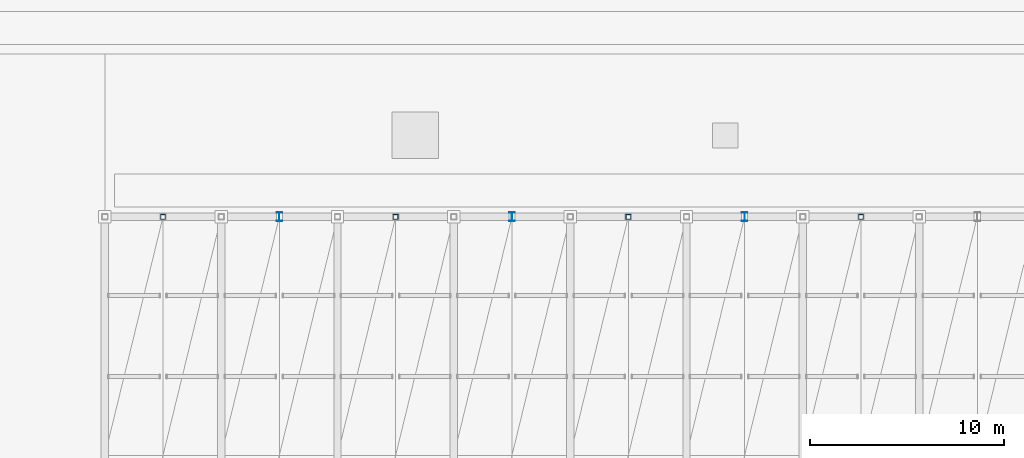
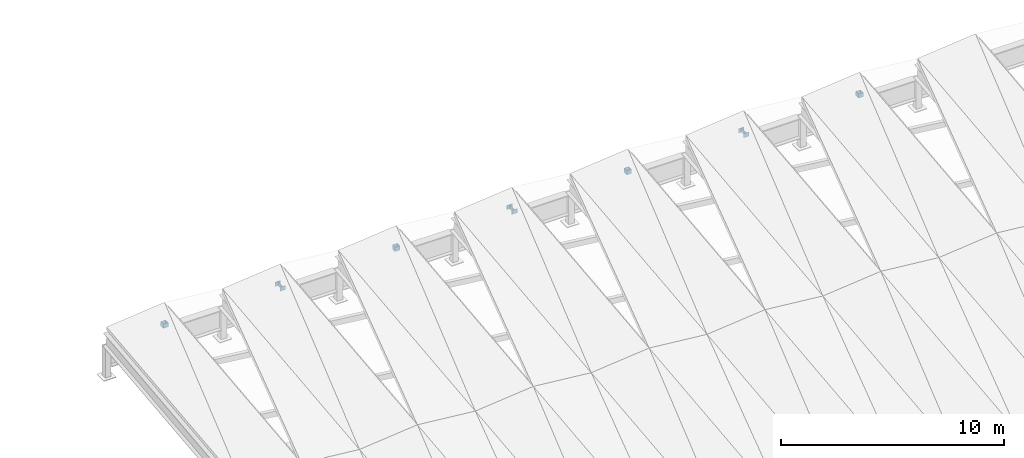
# One storey, part 16 of 52: 7 members.
"""IFC4 building model written with IfcOpenShell, lengths in metres."""

from ifc_helpers import new_model, si_unit, direction, frame, origin, origin_2d, place, context, subcontext, project, spatial, hollow_rectangle, i_section, extrude, material, material_profile, profile_set, type_object, element, save


model = new_model("IFC4")

# Units and contexts
model_context = context("Model", 3, precision=1e-05, world=origin(), true_north=direction((0.0, 1.0)))
body_context = subcontext(model_context, "Body", "Model", "MODEL_VIEW")
ifc_project = project(units=[si_unit("LENGTHUNIT", "METRE"), si_unit("AREAUNIT", "SQUARE_METRE"), si_unit("VOLUMEUNIT", "CUBIC_METRE"), si_unit("PLANEANGLEUNIT", "RADIAN"), si_unit("MASSUNIT", "GRAM", prefix="KILO")], contexts=[model_context])

# Site, building, storey
site_placement = place(None, origin())
site = spatial("IfcSite", under=ifc_project, at=site_placement, CompositionType="ELEMENT")
building_placement = place(site_placement, origin())
building = spatial("IfcBuilding", under=site, at=building_placement, Name="Vaelkrest Opera House", CompositionType="ELEMENT")
storey_placement = place(building_placement, frame((0.0, 0.0, 41.39990234375)))
storey = spatial("IfcBuildingStorey", under=building, at=storey_placement, Name="ROOF", CompositionType="ELEMENT", Elevation=41.39990234375)

# Members
ifc_material_1 = material(Name="Steel A992 Gr50", Category="steel")
ifc_material_profile_1 = material_profile(ifc_material_1, i_section(OverallWidth=0.280029296875, OverallDepth=0.462890625, WebThickness=0.0107421875, FlangeThickness=0.017333984375, at=origin_2d()), Name="W18X76")
ifc_profile_set_1 = profile_set([ifc_material_profile_1], Name="Steel A992 Gr50")
member_type_1 = type_object("IfcMemberType", Name="TC01", PredefinedType="CHORD", material=ifc_profile_set_1)
for number, where, z_axis, x_axis, name in (
    (1, (-9.0, 42.0, 1.68505859375), (0.0, 0.0, 1.0), (1.0, 0.0, 0.0), "Ridge saddle post V2-N-03"),
    (2, (3.0, 42.0, 1.68505859375), (0.0, 0.0, 1.0), (1.0, 0.0, 0.0), "Ridge saddle post V2-N-07"),
    (3, (15.0, 42.0, 1.68505859375), (0.0, 0.0, 1.0), (1.0, 0.0, 0.0), "Ridge saddle post V2-N-11"),
):
    element("IfcMember", number, at=place(storey_placement, frame(where, z_axis=z_axis, x_axis=x_axis)), inside=storey, type_object=member_type_1, Name=name, PredefinedType="CHORD", context=body_context, shape_type="SweptSolid", body=[
        extrude(i_section(OverallWidth=0.280029296875, OverallDepth=0.462890625, WebThickness=0.0107421875, FlangeThickness=0.017333984375, at=origin_2d()), origin(), (0.0, 0.0, 1.0), 0.22802734375),
    ])
ifc_material_2 = material(Name="Steel A500 GrC", Category="steel")
ifc_material_profile_2 = material_profile(ifc_material_2, hollow_rectangle(XDim=0.25390625, YDim=0.25390625, WallThickness=0.0126953125, at=origin_2d()), Name="HSS254X254X12.7")
ifc_profile_set_2 = profile_set([ifc_material_profile_2], Name="Steel A500 GrC")
member_type_2 = type_object("IfcMemberType", Name="TC04", PredefinedType="CHORD", material=ifc_profile_set_2)
for number, where, z_axis, x_axis, name in (
    (4, (-15.0, 42.0, 1.68505859375), (0.0, 0.0, 1.0), (1.0, 0.0, 0.0), "Ridge saddle post V2-N-01"),
    (5, (-3.0, 42.0, 1.68505859375), (0.0, 0.0, 1.0), (1.0, 0.0, 0.0), "Ridge saddle post V2-N-05"),
    (6, (9.0, 42.0, 1.68505859375), (0.0, 0.0, 1.0), (1.0, 0.0, 0.0), "Ridge saddle post V2-N-09"),
    (7, (21.0, 42.0, 1.68505859375), (0.0, 0.0, 1.0), (1.0, 0.0, 0.0), "Ridge saddle post V2-N-13"),
):
    element("IfcMember", number, at=place(storey_placement, frame(where, z_axis=z_axis, x_axis=x_axis)), inside=storey, type_object=member_type_2, Name=name, PredefinedType="CHORD", context=body_context, shape_type="SweptSolid", body=[
        extrude(hollow_rectangle(XDim=0.25390625, YDim=0.25390625, WallThickness=0.0126953125, at=origin_2d()), origin(), (0.0, 0.0, 1.0), 0.22802734375),
    ])

save(model, "model.ifc")
